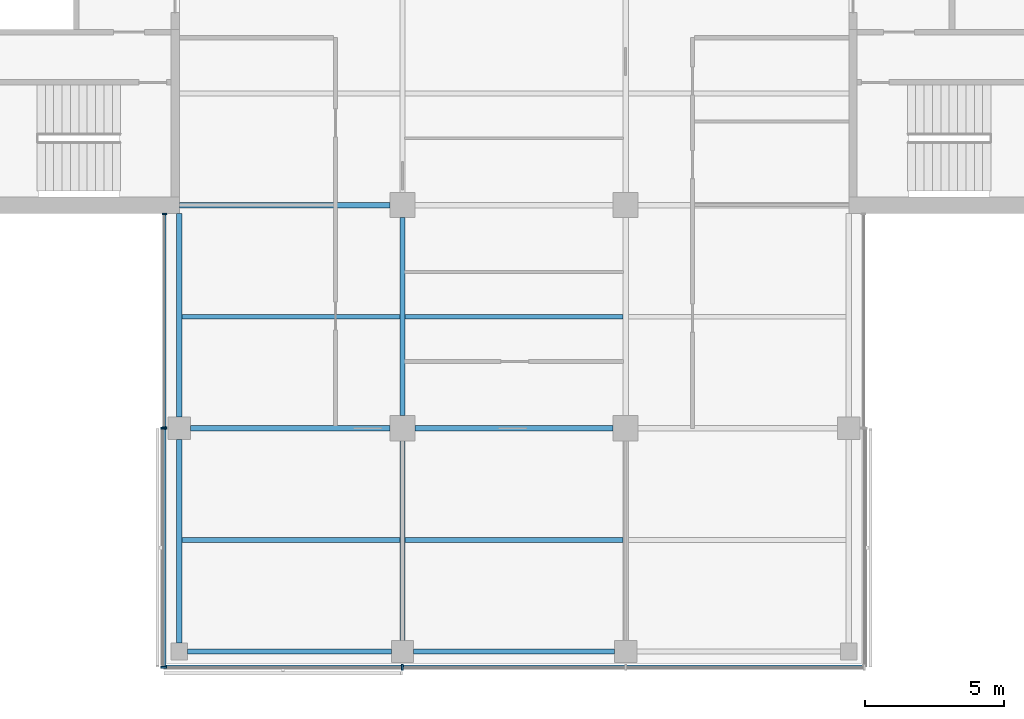
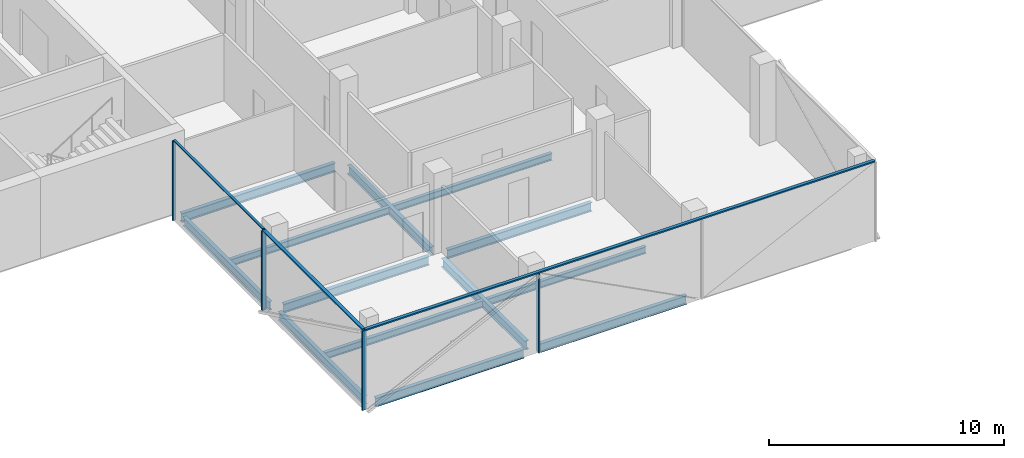
# One storey, part 2 of 15: 13 beams, 8 members, 3 elements without a shape of their own.
"""IFC4 building model written with IfcOpenShell, lengths in metres."""

from ifc_helpers import new_model, si_unit, direction, frame, origin, origin_2d, place, context, subcontext, project, spatial, rectangle, i_section, extrude, material, material_profile, profile_set, type_object, element, aggregate, save


model = new_model("IFC4")

# Units and contexts
model_context = context("Model", 3, precision=1e-05, world=origin(), true_north=direction((0.0, 1.0)))
body_context = subcontext(model_context, "Body", "Model", "MODEL_VIEW")
ifc_project = project(units=[si_unit("LENGTHUNIT", "METRE"), si_unit("AREAUNIT", "SQUARE_METRE"), si_unit("VOLUMEUNIT", "CUBIC_METRE"), si_unit("PLANEANGLEUNIT", "RADIAN"), si_unit("MASSUNIT", "GRAM", prefix="KILO")], contexts=[model_context])

# Site, building, storey
site_placement = place(None, origin())
site = spatial("IfcSite", under=ifc_project, at=site_placement, CompositionType="ELEMENT")
building_placement = place(site_placement, origin())
building = spatial("IfcBuilding", under=site, at=building_placement, Name="Crosswind Convention Tower", CompositionType="ELEMENT")
storey_placement = place(building_placement, frame((0.0, 0.0, 204.10009765625)))
storey = spatial("IfcBuildingStorey", under=building, at=storey_placement, Name="L43", CompositionType="ELEMENT", Elevation=204.10009765625)

# Beams
ifc_material_1 = material(Name="Steel S355", Category="steel")
ifc_material_profile_1 = material_profile(ifc_material_1, i_section(OverallWidth=0.18994140625, OverallDepth=0.45361328125, WebThickness=0.008544921875, FlangeThickness=0.0126953125, FilletRadius=0.01025390625, at=origin_2d()), Name="UB 457x191x67")
ifc_profile_set_1 = profile_set([ifc_material_profile_1], Name="Steel S355")
beam_type_1 = type_object("IfcBeamType", Name="Edge beam UB 457x191x67", PredefinedType="SPANDREL", material=ifc_profile_set_1)
for number, where, z_axis, x_axis, name in (
    (1, (113.0, 72.300048828125, -0.52685546875), (0.0, 1.0, 0.0), (-1.0, 0.0, 0.0), "B16 L43 edge beam 1"),
    (2, (113.0, 80.39990234375, -0.52685546875), (0.0, 1.0, 0.0), (-1.0, 0.0, 0.0), "B16 L43 edge beam 2"),
    (3, (113.300048828125, 72.0, -0.52685546875), (1.0, 0.0, 0.0), (0.0, 1.0, 0.0), "B16 L43 edge beam 5"),
):
    element("IfcBeam", number, at=place(storey_placement, frame(where, z_axis=z_axis, x_axis=x_axis)), inside=storey, type_object=beam_type_1, Name=name, PredefinedType="SPANDREL", context=body_context, shape_type="SweptSolid", body=[
        extrude(i_section(OverallWidth=0.18994140625, OverallDepth=0.45361328125, WebThickness=0.008544921875, FlangeThickness=0.0126953125, FilletRadius=0.01025390625, at=origin_2d()), origin(), (0.0, 0.0, 1.0), 7.300048828125),
    ])
beam_1_placement = place(storey_placement, frame((121.39990234375, 72.0, -0.52685546875), z_axis=(1.0, 0.0, 0.0), x_axis=(0.0, 1.0, 0.0)))
element("IfcBeam", 4, at=beam_1_placement, inside=storey, type_object=beam_type_1, Name="B16 L43 edge beam 7", PredefinedType="SPANDREL", context=body_context, shape_type="SweptSolid", body=[
    extrude(i_section(OverallWidth=0.18994140625, OverallDepth=0.45361328125, WebThickness=0.008544921875, FlangeThickness=0.0126953125, FilletRadius=0.01025390625, at=origin_2d()), origin(), (0.0, 0.0, 1.0), 7.2001953125),
])
ifc_material_profile_2 = material_profile(ifc_material_1, i_section(OverallWidth=0.1904296875, OverallDepth=0.457275390625, WebThickness=0.009033203125, FlangeThickness=0.014404296875, FilletRadius=0.01025390625, at=origin_2d()), Name="UB 457x191x75")
ifc_profile_set_2 = profile_set([ifc_material_profile_2], Name="Steel S355")
beam_type_2 = type_object("IfcBeamType", Name="Girder UB 457x191x75", PredefinedType="BEAM", material=ifc_profile_set_2)
for number, where, z_axis, x_axis, name in (
    (5, (113.39990234375, 80.0, -0.52880859375), (1.0, 0.0, 0.0), (0.0, 1.0, 0.0), "B2 L43 girder 1"),
    (6, (121.0, 72.39990234375, -0.52880859375), (0.0, 1.0, 0.0), (-1.0, 0.0, 0.0), "B2 L43 girder 3"),
):
    element("IfcBeam", number, at=place(storey_placement, frame(where, z_axis=z_axis, x_axis=x_axis)), inside=storey, type_object=beam_type_2, Name=name, PredefinedType="BEAM", context=body_context, shape_type="SweptSolid", body=[
        extrude(i_section(OverallWidth=0.1904296875, OverallDepth=0.457275390625, WebThickness=0.009033203125, FlangeThickness=0.014404296875, FilletRadius=0.01025390625, at=origin_2d()), origin(), (0.0, 0.0, 1.0), 7.150146484375),
    ])
for number, where, z_axis, x_axis, name in (
    (7, (121.0, 80.449951171875, -0.52880859375), (0.0, 1.0, 0.0), (-1.0, 0.0, 0.0), "B2 L43 girder 4"),
    (8, (121.449951171875, 80.0, -0.52880859375), (1.0, 0.0, 0.0), (0.0, 1.0, 0.0), "B2 L43 girder 10"),
):
    element("IfcBeam", number, at=place(storey_placement, frame(where, z_axis=z_axis, x_axis=x_axis)), inside=storey, type_object=beam_type_2, Name=name, PredefinedType="BEAM", context=body_context, shape_type="SweptSolid", body=[
        extrude(i_section(OverallWidth=0.1904296875, OverallDepth=0.457275390625, WebThickness=0.009033203125, FlangeThickness=0.014404296875, FilletRadius=0.01025390625, at=origin_2d()), origin(), (0.0, 0.0, 1.0), 7.10009765625),
    ])
ifc_material_profile_3 = material_profile(ifc_material_1, i_section(OverallWidth=0.19140625, OverallDepth=0.460205078125, WebThickness=0.010009765625, FlangeThickness=0.01611328125, FilletRadius=0.01025390625, at=origin_2d()), Name="UB 457x191x82")
ifc_profile_set_3 = profile_set([ifc_material_profile_3], Name="Steel S355")
beam_type_3 = type_object("IfcBeamType", Name="Girder at core wall UB 457x191x82", PredefinedType="BEAM", material=ifc_profile_set_3)
beam_2_placement = place(storey_placement, frame((113.0, 88.0, -0.5302734375), z_axis=(1.0, 0.0, 0.0), x_axis=(0.0, 1.0, 0.0)))
element("IfcBeam", 9, at=beam_2_placement, inside=storey, type_object=beam_type_3, Name="B23 L43 girder at core wall 1", PredefinedType="BEAM", context=body_context, shape_type="SweptSolid", body=[
    extrude(i_section(OverallWidth=0.19140625, OverallDepth=0.460205078125, WebThickness=0.010009765625, FlangeThickness=0.01611328125, FilletRadius=0.01025390625, at=origin_2d()), origin(), (0.0, 0.0, 1.0), 7.550048828125),
])

# Curtain wall, members
ifc_material_2 = material(Name="Aluminium unitised curtain wall", Category="aluminium")
curtain_wall_type_1 = type_object("IfcCurtainWallType", Name="CORE END SLOT WALL 160", PredefinedType="USERDEFINED", material=ifc_material_2)
curtain_wall_1_placement = place(storey_placement, origin())
curtain_wall_1 = element("IfcCurtainWall", 10, at=curtain_wall_1_placement, inside=storey, type_object=curtain_wall_type_1, Name="CW6 L43 S-W.1-1 slot", ObjectType="UNITISED", PredefinedType="USERDEFINED")
ifc_material_3 = material(Name="Aluminium mullion", Category="aluminium")
ifc_material_profile_4 = material_profile(ifc_material_3, rectangle(XDim=0.159912109375, YDim=0.050048828125, at=origin_2d()), Name="AL 160X50")
ifc_profile_set_4 = profile_set([ifc_material_profile_4], Name="Aluminium mullion")
member_type_1 = type_object("IfcMemberType", Name="MULLION 50X160", PredefinedType="MULLION", material=ifc_profile_set_4)
member_1_placement = place(storey_placement, frame((112.469970703125, 87.675048828125, -0.300048828125), z_axis=(0.0, 0.0, 1.0), x_axis=(-1.0, 0.0, 0.0)))
member_1 = element("IfcMember", 11, at=member_1_placement, type_object=member_type_1, Name="CW6 mullion 1", PredefinedType="MULLION", context=body_context, shape_type="SweptSolid", body=[
    extrude(rectangle(XDim=0.159912109375, YDim=0.050048828125, at=origin_2d()), origin(), (0.0, 0.0, 1.0), 4.14990234375),
])
member_2_placement = place(storey_placement, frame((112.469970703125, 80.02490234375, -0.300048828125), z_axis=(0.0, 0.0, 1.0), x_axis=(-1.0, 0.0, 0.0)))
member_2 = element("IfcMember", 12, at=member_2_placement, type_object=member_type_1, Name="CW6 mullion 2", PredefinedType="MULLION", context=body_context, shape_type="SweptSolid", body=[
    extrude(rectangle(XDim=0.159912109375, YDim=0.050048828125, at=origin_2d()), origin(), (0.0, 0.0, 1.0), 4.14990234375),
])

curtain_wall_type_2 = type_object("IfcCurtainWallType", Name="OFFICE UNITISED WALL 220", PredefinedType="USERDEFINED", material=ifc_material_2)
curtain_wall_2_placement = place(storey_placement, origin())
curtain_wall_2 = element("IfcCurtainWall", 13, at=curtain_wall_2_placement, inside=storey, type_object=curtain_wall_type_2, Name="CW3 L43 S-W 1", ObjectType="UNITISED", PredefinedType="USERDEFINED")
ifc_material_profile_5 = material_profile(ifc_material_3, rectangle(XDim=0.219970703125, YDim=0.070068359375, at=origin_2d()), Name="AL 220X70")
ifc_profile_set_5 = profile_set([ifc_material_profile_5], Name="Aluminium mullion")
member_type_2 = type_object("IfcMemberType", Name="MULLION 70X220", PredefinedType="MULLION", material=ifc_profile_set_5)
member_3_placement = place(storey_placement, frame((112.43994140625, 80.0, -0.300048828125), z_axis=(0.0, 0.0, 1.0), x_axis=(-1.0, 0.0, 0.0)))
member_3 = element("IfcMember", 14, at=member_3_placement, type_object=member_type_2, Name="CW3 mullion 1", PredefinedType="MULLION", context=body_context, shape_type="SweptSolid", body=[
    extrude(rectangle(XDim=0.219970703125, YDim=0.070068359375, at=origin_2d()), origin(), (0.0, 0.0, 1.0), 4.1298828125),
])
member_4_placement = place(storey_placement, frame((112.43994140625, 71.43994140625, -0.300048828125), z_axis=(0.0, 0.0, 1.0), x_axis=(-1.0, 0.0, 0.0)))
member_4 = element("IfcMember", 15, at=member_4_placement, type_object=member_type_2, Name="CW3 mullion 2", PredefinedType="MULLION", context=body_context, shape_type="SweptSolid", body=[
    extrude(rectangle(XDim=0.219970703125, YDim=0.070068359375, at=origin_2d()), origin(), (0.0, 0.0, 1.0), 4.1298828125),
])

# Curtain wall, member
curtain_wall_3_placement = place(storey_placement, origin())
curtain_wall_3 = element("IfcCurtainWall", 16, at=curtain_wall_3_placement, inside=storey, type_object=curtain_wall_type_2, Name="CW3 L43 S-TIP 1", ObjectType="UNITISED", PredefinedType="USERDEFINED")
member_5_placement = place(storey_placement, frame((121.0, 71.43994140625, -0.300048828125), z_axis=(0.0, 0.0, 1.0), x_axis=(0.0, -1.0, 0.0)))
member_5 = element("IfcMember", 17, at=member_5_placement, type_object=member_type_2, Name="CW3 mullion 2", PredefinedType="MULLION", context=body_context, shape_type="SweptSolid", body=[
    extrude(rectangle(XDim=0.219970703125, YDim=0.070068359375, at=origin_2d()), origin(), (0.0, 0.0, 1.0), 4.1298828125),
])

# Beams
ifc_material_profile_6 = material_profile(ifc_material_1, i_section(OverallWidth=0.172119140625, OverallDepth=0.358642578125, WebThickness=0.008056640625, FlangeThickness=0.012939453125, FilletRadius=0.01025390625, at=origin_2d()), Name="UB 356x171x57")
ifc_profile_set_6 = profile_set([ifc_material_profile_6], Name="Steel S355")
beam_type_4 = type_object("IfcBeamType", Name="Secondary beam UB 356x171x57", PredefinedType="JOIST", material=ifc_profile_set_6)
for number, where, z_axis, x_axis, name in (
    (18, (113.094970703125, 76.0, -0.4794921875), (1.0, 0.0, 0.0), (0.0, 1.0, 0.0), "B9 L43 secondary beam 4"),
    (19, (113.094970703125, 84.0, -0.4794921875), (1.0, 0.0, 0.0), (0.0, 1.0, 0.0), "B9 L43 secondary beam 5"),
):
    element("IfcBeam", number, at=place(storey_placement, frame(where, z_axis=z_axis, x_axis=x_axis)), inside=storey, type_object=beam_type_4, Name=name, PredefinedType="JOIST", context=body_context, shape_type="SweptSolid", body=[
        extrude(i_section(OverallWidth=0.172119140625, OverallDepth=0.358642578125, WebThickness=0.008056640625, FlangeThickness=0.012939453125, FilletRadius=0.01025390625, at=origin_2d()), origin(), (0.0, 0.0, 1.0), 7.809814453125),
    ])
for number, where, z_axis, x_axis, name in (
    (20, (121.09521484375, 76.0, -0.4794921875), (1.0, 0.0, 0.0), (0.0, 1.0, 0.0), "B9 L43 secondary beam 8"),
    (21, (121.09521484375, 84.0, -0.4794921875), (1.0, 0.0, 0.0), (0.0, 1.0, 0.0), "B9 L43 secondary beam 9"),
):
    element("IfcBeam", number, at=place(storey_placement, frame(where, z_axis=z_axis, x_axis=x_axis)), inside=storey, type_object=beam_type_4, Name=name, PredefinedType="JOIST", context=body_context, shape_type="SweptSolid", body=[
        extrude(i_section(OverallWidth=0.172119140625, OverallDepth=0.358642578125, WebThickness=0.008056640625, FlangeThickness=0.012939453125, FilletRadius=0.01025390625, at=origin_2d()), origin(), (0.0, 0.0, 1.0), 7.8095703125),
    ])

# Member
ifc_material_4 = material(Name="Aluminium transom", Category="aluminium")
ifc_material_profile_7 = material_profile(ifc_material_4, rectangle(XDim=0.1201171875, YDim=0.050048828125, at=origin_2d()), Name="AL 120X50")
ifc_profile_set_7 = profile_set([ifc_material_profile_7], Name="Aluminium transom")
member_type_3 = type_object("IfcMemberType", Name="TRANSOM 50X120", PredefinedType="USERDEFINED", material=ifc_profile_set_7)
member_6_placement = place(storey_placement, frame((112.469970703125, 87.64990234375, 3.875), z_axis=(0.0, -1.0, 0.0), x_axis=(1.0, 0.0, 0.0)))
member_6 = element("IfcMember", 22, at=member_6_placement, type_object=member_type_3, Name="CW6 transom", ObjectType="TRANSOM", PredefinedType="USERDEFINED", context=body_context, shape_type="SweptSolid", body=[
    extrude(rectangle(XDim=0.1201171875, YDim=0.050048828125, at=origin_2d()), origin(), (0.0, 0.0, 1.0), 7.599853515625),
])

aggregate(curtain_wall_1, [member_1, member_2, member_6])

ifc_material_profile_8 = material_profile(ifc_material_4, rectangle(XDim=0.159912109375, YDim=0.070068359375, at=origin_2d()), Name="AL 160X70")
ifc_profile_set_8 = profile_set([ifc_material_profile_8], Name="Aluminium transom")
member_type_4 = type_object("IfcMemberType", Name="TRANSOM 70X160", PredefinedType="USERDEFINED", material=ifc_profile_set_8)
member_7_placement = place(storey_placement, frame((112.43994140625, 79.965087890625, 3.864990234375), z_axis=(0.0, -1.0, 0.0), x_axis=(1.0, 0.0, 0.0)))
member_7 = element("IfcMember", 23, at=member_7_placement, type_object=member_type_4, Name="CW3 transom", ObjectType="TRANSOM", PredefinedType="USERDEFINED", context=body_context, shape_type="SweptSolid", body=[
    extrude(rectangle(XDim=0.159912109375, YDim=0.070068359375, at=origin_2d()), origin(), (0.0, 0.0, 1.0), 8.489990234375),
])

aggregate(curtain_wall_2, [member_3, member_4, member_7])

member_8_placement = place(storey_placement, frame((112.47509765625, 71.43994140625, 3.864990234375), z_axis=(1.0, 0.0, 0.0), x_axis=(0.0, 1.0, 0.0)))
member_8 = element("IfcMember", 24, at=member_8_placement, type_object=member_type_4, Name="CW3 transom", ObjectType="TRANSOM", PredefinedType="USERDEFINED", context=body_context, shape_type="SweptSolid", body=[
    extrude(rectangle(XDim=0.159912109375, YDim=0.070068359375, at=origin_2d()), origin(), (0.0, 0.0, 1.0), 25.0498046875),
])

aggregate(curtain_wall_3, [member_5, member_8])

save(model, "model.ifc")
